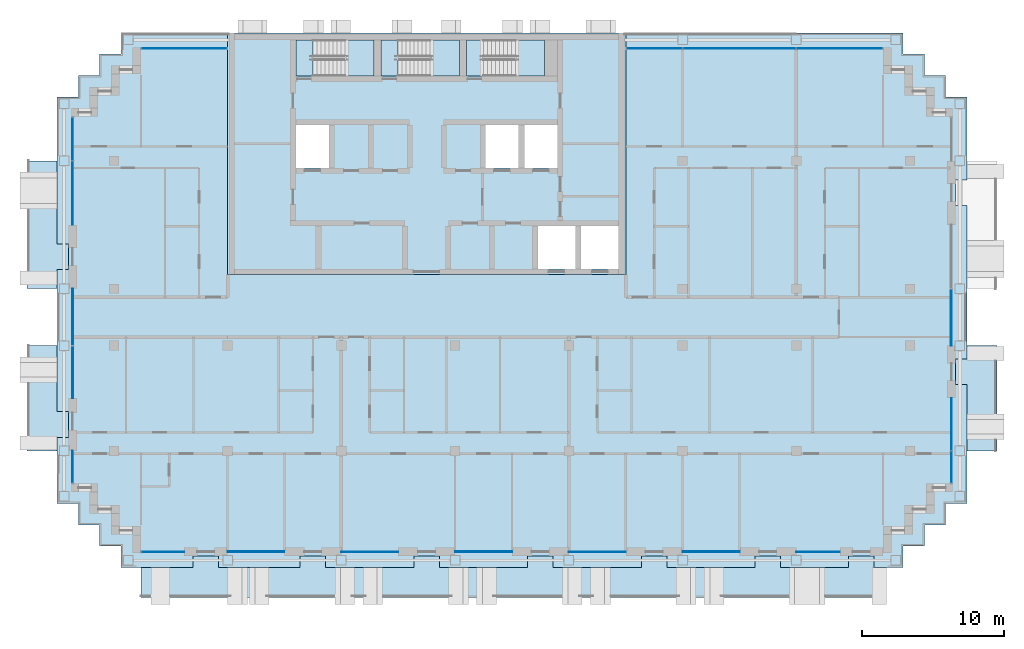
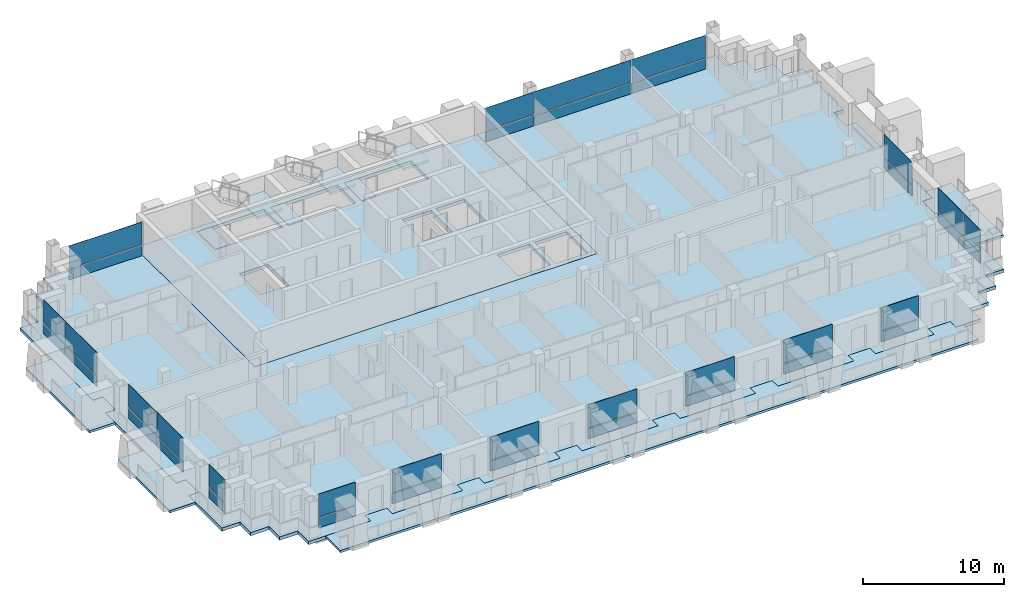
# One storey, part 6 of 16: 38 plates, 12 slabs, 17 elements without a shape of their own.
"""IFC4 building model written with IfcOpenShell, lengths in metres."""

from ifc_helpers import new_model, si_unit, direction, frame, origin, origin_2d, place, context, subcontext, project, spatial, polyline, rectangle, outline, extrude, material, layer, layer_set, type_object, element, aggregate, save


model = new_model("IFC4")

# Units and contexts
model_context = context("Model", 3, precision=1e-05, world=origin(), true_north=direction((0.0, 1.0)))
body_context = subcontext(model_context, "Body", "Model", "MODEL_VIEW")
ifc_project = project(units=[si_unit("LENGTHUNIT", "METRE"), si_unit("AREAUNIT", "SQUARE_METRE"), si_unit("VOLUMEUNIT", "CUBIC_METRE"), si_unit("PLANEANGLEUNIT", "RADIAN"), si_unit("MASSUNIT", "GRAM", prefix="KILO")], contexts=[model_context])

# Site, building, storey
site_placement = place(None, origin())
site = spatial("IfcSite", under=ifc_project, at=site_placement, CompositionType="ELEMENT")
building_placement = place(site_placement, origin())
building = spatial("IfcBuilding", under=site, at=building_placement, Name="Vidyagriha Tower", CompositionType="ELEMENT")
storey_placement = place(building_placement, frame((0.0, 0.0, 171.699951171875)))
storey = spatial("IfcBuildingStorey", under=building, at=storey_placement, Name="L44", CompositionType="ELEMENT", Elevation=171.699951171875)

# Curtain wall, plates
ifc_material_1 = material(Name="Aluminium and glass curtain wall", Category="aluminium")
curtain_wall_type = type_object("IfcCurtainWallType", Name="Dwelling skin unitised curtain wall", PredefinedType="USERDEFINED", material=ifc_material_1)
curtain_wall_1_placement = place(storey_placement, origin())
curtain_wall_1 = element("IfcCurtainWall", 1, at=curtain_wall_1_placement, inside=storey, type_object=curtain_wall_type, Name="CW1 dwelling skin", ObjectType="UNITISED", PredefinedType="USERDEFINED")
ifc_material_2 = material(Name="Glass dark ceramic-fritted spandrel", Category="glass")
ifc_layer_1 = layer(ifc_material_2, 0.0400390625)
ifc_layer_set_1 = layer_set([ifc_layer_1], Name="Glass dark ceramic-fritted spandrel")
plate_type_1 = type_object("IfcPlateType", Name="Ceramic-fritted spandrel panel", PredefinedType="CURTAIN_PANEL", material=ifc_layer_set_1)
plate_1_placement = place(storey_placement, frame((29.032470703125, 18.89990234375, 0.0), z_axis=(0.0, 0.0, 1.0), x_axis=(-1.0, 0.0, 0.0)))
plate_1 = element("IfcPlate", 2, at=plate_1_placement, type_object=plate_type_1, Name="CW1 panel 1.1", PredefinedType="CURTAIN_PANEL", context=body_context, shape_type="SweptSolid", body=[
    extrude(rectangle(XDim=5.9951171875, YDim=0.0400390625, at=origin_2d()), origin(), (0.0, 0.0, 1.0), 0.85009765625),
])
plate_2_placement = place(storey_placement, frame((16.017578125, 18.89990234375, 0.0), z_axis=(0.0, 0.0, 1.0), x_axis=(-1.0, 0.0, 0.0)))
plate_2 = element("IfcPlate", 3, at=plate_2_placement, type_object=plate_type_1, Name="CW1 panel 3.1", PredefinedType="CURTAIN_PANEL", context=body_context, shape_type="SweptSolid", body=[
    extrude(rectangle(XDim=3.89501953125, YDim=0.0400390625, at=origin_2d()), origin(), (0.0, 0.0, 1.0), 0.85009765625),
])

# Curtain wall, plate
curtain_wall_2_placement = place(storey_placement, origin())
curtain_wall_2 = element("IfcCurtainWall", 4, at=curtain_wall_2_placement, inside=storey, type_object=curtain_wall_type, Name="CW1 dwelling skin", ObjectType="UNITISED", PredefinedType="USERDEFINED")
plate_3_placement = place(storey_placement, frame((-17.050048828125, 18.89990234375, 0.0), z_axis=(0.0, 0.0, 1.0), x_axis=(-1.0, 0.0, 0.0)))
plate_3 = element("IfcPlate", 5, at=plate_3_placement, type_object=plate_type_1, Name="CW1 panel 1.1", PredefinedType="CURTAIN_PANEL", context=body_context, shape_type="SweptSolid", body=[
    extrude(rectangle(XDim=5.9599609375, YDim=0.0400390625, at=origin_2d()), origin(), (0.0, 0.0, 1.0), 0.85009765625),
])

# Curtain wall, plates
curtain_wall_3_placement = place(storey_placement, origin())
curtain_wall_3 = element("IfcCurtainWall", 6, at=curtain_wall_3_placement, inside=storey, type_object=curtain_wall_type, Name="CW1 dwelling skin", ObjectType="UNITISED", PredefinedType="USERDEFINED")
plate_4_placement = place(storey_placement, frame((-24.89990234375, 12.532470703125, 0.0), z_axis=(0.0, 0.0, 1.0), x_axis=(0.0, -1.0, 0.0)))
plate_4 = element("IfcPlate", 7, at=plate_4_placement, type_object=plate_type_1, Name="CW1 panel 1.1", PredefinedType="CURTAIN_PANEL", context=body_context, shape_type="SweptSolid", body=[
    extrude(rectangle(XDim=2.9951171875, YDim=0.0400390625, at=origin_2d()), origin(), (0.0, 0.0, 1.0), 0.85009765625),
])
plate_5_placement = place(storey_placement, frame((-24.89990234375, 8.732421875, 0.0), z_axis=(0.0, 0.0, 1.0), x_axis=(0.0, -1.0, 0.0)))
plate_5 = element("IfcPlate", 8, at=plate_5_placement, type_object=plate_type_1, Name="CW1 panel 2.1", PredefinedType="CURTAIN_PANEL", context=body_context, shape_type="SweptSolid", body=[
    extrude(rectangle(XDim=4.465087890625, YDim=0.0400390625, at=origin_2d()), origin(), (0.0, 0.0, 1.0), 0.85009765625),
])

# Curtain wall, plate
curtain_wall_4_placement = place(storey_placement, origin())
curtain_wall_4 = element("IfcCurtainWall", 9, at=curtain_wall_4_placement, inside=storey, type_object=curtain_wall_type, Name="CW1 dwelling skin", ObjectType="UNITISED", PredefinedType="USERDEFINED")
plate_6_placement = place(storey_placement, frame((-24.89990234375, -10.514892578125, 0.0), z_axis=(0.0, 0.0, 1.0), x_axis=(0.0, -1.0, 0.0)))
plate_6 = element("IfcPlate", 10, at=plate_6_placement, type_object=plate_type_1, Name="CW1 panel 1.1", PredefinedType="CURTAIN_PANEL", context=body_context, shape_type="SweptSolid", body=[
    extrude(rectangle(XDim=2.22998046875, YDim=0.0400390625, at=origin_2d()), origin(), (0.0, 0.0, 1.0), 0.85009765625),
])

curtain_wall_5_placement = place(storey_placement, origin())
curtain_wall_5 = element("IfcCurtainWall", 11, at=curtain_wall_5_placement, inside=storey, type_object=curtain_wall_type, Name="CW1 dwelling skin", ObjectType="UNITISED", PredefinedType="USERDEFINED")
plate_7_placement = place(storey_placement, frame((-18.5400390625, -16.5, 0.0)))
plate_7 = element("IfcPlate", 12, at=plate_7_placement, type_object=plate_type_1, Name="CW1 panel 1.1", PredefinedType="CURTAIN_PANEL", context=body_context, shape_type="SweptSolid", body=[
    extrude(rectangle(XDim=2.97998046875, YDim=0.0400390625, at=origin_2d()), origin(), (0.0, 0.0, 1.0), 0.85009765625),
])

curtain_wall_6_placement = place(storey_placement, origin())
curtain_wall_6 = element("IfcCurtainWall", 13, at=curtain_wall_6_placement, inside=storey, type_object=curtain_wall_type, Name="CW1 dwelling skin", ObjectType="UNITISED", PredefinedType="USERDEFINED")
plate_8_placement = place(storey_placement, frame((-4.0, -16.5, 0.0)))
plate_8 = element("IfcPlate", 14, at=plate_8_placement, type_object=plate_type_1, Name="CW1 panel 1.1", PredefinedType="CURTAIN_PANEL", context=body_context, shape_type="SweptSolid", body=[
    extrude(rectangle(XDim=4.0, YDim=0.0400390625, at=origin_2d()), origin(), (0.0, 0.0, 1.0), 0.85009765625),
])

curtain_wall_7_placement = place(storey_placement, origin())
curtain_wall_7 = element("IfcCurtainWall", 15, at=curtain_wall_7_placement, inside=storey, type_object=curtain_wall_type, Name="CW1 dwelling skin", ObjectType="UNITISED", PredefinedType="USERDEFINED")
plate_9_placement = place(storey_placement, frame((12.0, -16.5, 0.0)))
plate_9 = element("IfcPlate", 16, at=plate_9_placement, type_object=plate_type_1, Name="CW1 panel 1.1", PredefinedType="CURTAIN_PANEL", context=body_context, shape_type="SweptSolid", body=[
    extrude(rectangle(XDim=4.0, YDim=0.0400390625, at=origin_2d()), origin(), (0.0, 0.0, 1.0), 0.85009765625),
])

curtain_wall_8_placement = place(storey_placement, origin())
curtain_wall_8 = element("IfcCurtainWall", 17, at=curtain_wall_8_placement, inside=storey, type_object=curtain_wall_type, Name="CW1 dwelling skin", ObjectType="UNITISED", PredefinedType="USERDEFINED")
plate_10_placement = place(storey_placement, frame((27.52490234375, -16.5, 0.0)))
plate_10 = element("IfcPlate", 18, at=plate_10_placement, type_object=plate_type_1, Name="CW1 panel 1.1", PredefinedType="CURTAIN_PANEL", context=body_context, shape_type="SweptSolid", body=[
    extrude(rectangle(XDim=3.050048828125, YDim=0.0400390625, at=origin_2d()), origin(), (0.0, 0.0, 1.0), 0.85009765625),
])

# Curtain wall, plates
curtain_wall_9_placement = place(storey_placement, origin())
curtain_wall_9 = element("IfcCurtainWall", 19, at=curtain_wall_9_placement, inside=storey, type_object=curtain_wall_type, Name="CW1 dwelling skin", ObjectType="UNITISED", PredefinedType="USERDEFINED")
plate_11_placement = place(storey_placement, frame((36.89990234375, -10.532470703125, 0.0), z_axis=(0.0, 0.0, 1.0), x_axis=(0.0, 1.0, 0.0)))
plate_11 = element("IfcPlate", 20, at=plate_11_placement, type_object=plate_type_1, Name="CW1 panel 1.1", PredefinedType="CURTAIN_PANEL", context=body_context, shape_type="SweptSolid", body=[
    extrude(rectangle(XDim=2.195068359375, YDim=0.0400390625, at=origin_2d()), origin(), (0.0, 0.0, 1.0), 0.85009765625),
])
plate_12_placement = place(storey_placement, frame((36.89990234375, -7.532470703125, 0.0), z_axis=(0.0, 0.0, 1.0), x_axis=(0.0, 1.0, 0.0)))
plate_12 = element("IfcPlate", 21, at=plate_12_placement, type_object=plate_type_1, Name="CW1 panel 2.1", PredefinedType="CURTAIN_PANEL", context=body_context, shape_type="SweptSolid", body=[
    extrude(rectangle(XDim=3.6650390625, YDim=0.0400390625, at=origin_2d()), origin(), (0.0, 0.0, 1.0), 0.85009765625),
])

# Slab
ifc_material_3 = material(Name="Concrete C60/75", Category="concrete")
ifc_layer_2 = layer(ifc_material_3, 0.280029296875)
ifc_layer_set_2 = layer_set([ifc_layer_2], Name="Concrete C60/75")
slab_type_1 = type_object("IfcSlabType", Name="Core floor slab 280 mm", PredefinedType="FLOOR", material=ifc_layer_set_2)
slab_1_placement = place(storey_placement, frame((0.0, 0.0, -0.280029296875)))
element("IfcSlab", 22, at=slab_1_placement, inside=storey, type_object=slab_type_1, Name="L44 core floor 1", PredefinedType="FLOOR", context=body_context, shape_type="SweptSolid", body=[
    extrude(outline(polyline([(-14.0, 3.0), (-14.0, 20.0), (14.0, 20.0), (14.0, 3.0), (-14.0, 3.0)]), holes=[polyline([(13.5, 6.39990234375), (10.855712890625, 6.39990234375), (10.855712890625, 3.39990234375), (13.5, 3.39990234375), (13.5, 6.39990234375)]), polyline([(10.45556640625, 6.39990234375), (7.81103515625, 6.39990234375), (7.81103515625, 3.39990234375), (10.45556640625, 3.39990234375), (10.45556640625, 6.39990234375)]), polyline([(9.199951171875, 13.5), (6.86669921875, 13.5), (6.86669921875, 10.5), (9.199951171875, 10.5), (9.199951171875, 13.5)]), polyline([(2.800048828125, 19.5), (2.800048828125, 16.949951171875), (4.0, 16.949951171875), (8.300048828125, 16.949951171875), (8.300048828125, 19.5), (4.0, 19.5), (2.800048828125, 19.5)]), polyline([(4.13330078125, 13.5), (4.13330078125, 10.5), (6.466796875, 10.5), (6.466796875, 13.5), (4.13330078125, 13.5)]), polyline([(-2.0, 19.5), (-3.199951171875, 19.5), (-3.199951171875, 16.949951171875), (-2.0, 16.949951171875), (2.300048828125, 16.949951171875), (2.300048828125, 19.5), (-2.0, 19.5)]), polyline([(-9.199951171875, 19.5), (-9.199951171875, 16.949951171875), (-8.0, 16.949951171875), (-3.699951171875, 16.949951171875), (-3.699951171875, 19.5), (-8.0, 19.5), (-9.199951171875, 19.5)]), polyline([(-9.199951171875, 13.5), (-9.199951171875, 10.5), (-6.86669921875, 10.5), (-6.86669921875, 13.5), (-9.199951171875, 13.5)])]), origin(), (0.0, 0.0, 1.0), 0.280029296875),
])

# Plate
ifc_material_4 = material(Name="Glass dark ceramic-fritted", Category="glass")
ifc_layer_3 = layer(ifc_material_4, 0.028076171875)
ifc_layer_set_3 = layer_set([ifc_layer_3], Name="Glass dark ceramic-fritted")
plate_type_2 = type_object("IfcPlateType", Name="Dark ceramic-fritted vision glass panel", PredefinedType="CURTAIN_PANEL", material=ifc_layer_set_3)
plate_13_placement = place(storey_placement, frame((29.032470703125, 18.89990234375, 0.9501953125), z_axis=(0.0, 0.0, 1.0), x_axis=(-1.0, 0.0, 0.0)))
plate_13 = element("IfcPlate", 23, at=plate_13_placement, type_object=plate_type_2, Name="CW1 panel 1.2", PredefinedType="CURTAIN_PANEL", context=body_context, shape_type="SweptSolid", body=[
    extrude(rectangle(XDim=5.9951171875, YDim=0.028076171875, at=origin_2d()), origin(), (0.0, 0.0, 1.0), 1.969970703125),
])

plate_14_placement = place(storey_placement, frame((22.0, 18.89990234375, 0.9501953125), z_axis=(0.0, 0.0, 1.0), x_axis=(-1.0, 0.0, 0.0)))
plate_14 = element("IfcPlate", 24, at=plate_14_placement, type_object=plate_type_2, Name="CW1 panel 2.2", PredefinedType="CURTAIN_PANEL", context=body_context, shape_type="SweptSolid", body=[
    extrude(rectangle(XDim=7.929931640625, YDim=0.028076171875, at=origin_2d()), origin(), (0.0, 0.0, 1.0), 1.969970703125),
])

plate_15_placement = place(storey_placement, frame((16.017578125, 18.89990234375, 0.9501953125), z_axis=(0.0, 0.0, 1.0), x_axis=(-1.0, 0.0, 0.0)))
plate_15 = element("IfcPlate", 25, at=plate_15_placement, type_object=plate_type_2, Name="CW1 panel 3.2", PredefinedType="CURTAIN_PANEL", context=body_context, shape_type="SweptSolid", body=[
    extrude(rectangle(XDim=3.89501953125, YDim=0.028076171875, at=origin_2d()), origin(), (0.0, 0.0, 1.0), 1.969970703125),
])

plate_16_placement = place(storey_placement, frame((-17.050048828125, 18.89990234375, 0.9501953125), z_axis=(0.0, 0.0, 1.0), x_axis=(-1.0, 0.0, 0.0)))
plate_16 = element("IfcPlate", 26, at=plate_16_placement, type_object=plate_type_2, Name="CW1 panel 1.2", PredefinedType="CURTAIN_PANEL", context=body_context, shape_type="SweptSolid", body=[
    extrude(rectangle(XDim=5.9599609375, YDim=0.028076171875, at=origin_2d()), origin(), (0.0, 0.0, 1.0), 1.969970703125),
])

aggregate(curtain_wall_2, [plate_3, plate_16])

plate_17_placement = place(storey_placement, frame((-24.89990234375, 12.532470703125, 0.9501953125), z_axis=(0.0, 0.0, 1.0), x_axis=(0.0, -1.0, 0.0)))
plate_17 = element("IfcPlate", 27, at=plate_17_placement, type_object=plate_type_2, Name="CW1 panel 1.2", PredefinedType="CURTAIN_PANEL", context=body_context, shape_type="SweptSolid", body=[
    extrude(rectangle(XDim=2.9951171875, YDim=0.028076171875, at=origin_2d()), origin(), (0.0, 0.0, 1.0), 1.969970703125),
])

plate_18_placement = place(storey_placement, frame((-24.89990234375, 8.732421875, 0.9501953125), z_axis=(0.0, 0.0, 1.0), x_axis=(0.0, -1.0, 0.0)))
plate_18 = element("IfcPlate", 28, at=plate_18_placement, type_object=plate_type_2, Name="CW1 panel 2.2", PredefinedType="CURTAIN_PANEL", context=body_context, shape_type="SweptSolid", body=[
    extrude(rectangle(XDim=4.465087890625, YDim=0.028076171875, at=origin_2d()), origin(), (0.0, 0.0, 1.0), 1.969970703125),
])

aggregate(curtain_wall_3, [plate_4, plate_17, plate_5, plate_18])

# Curtain wall, plates
curtain_wall_10_placement = place(storey_placement, origin())
curtain_wall_10 = element("IfcCurtainWall", 29, at=curtain_wall_10_placement, inside=storey, type_object=curtain_wall_type, Name="CW1 dwelling skin", ObjectType="UNITISED", PredefinedType="USERDEFINED")
plate_19_placement = place(storey_placement, frame((-24.89990234375, 0.017578125, 0.9501953125), z_axis=(0.0, 0.0, 1.0), x_axis=(0.0, -1.0, 0.0)))
plate_19 = element("IfcPlate", 30, at=plate_19_placement, type_object=plate_type_2, Name="CW1 panel 1.2", PredefinedType="CURTAIN_PANEL", context=body_context, shape_type="SweptSolid", body=[
    extrude(rectangle(XDim=3.965087890625, YDim=0.028076171875, at=origin_2d()), origin(), (0.0, 0.0, 1.0), 1.969970703125),
])
plate_20_placement = place(storey_placement, frame((-24.89990234375, -3.867431640625, 0.9501953125), z_axis=(0.0, 0.0, 1.0), x_axis=(0.0, -1.0, 0.0)))
plate_20 = element("IfcPlate", 31, at=plate_20_placement, type_object=plate_type_2, Name="CW1 panel 2.2", PredefinedType="CURTAIN_PANEL", context=body_context, shape_type="SweptSolid", body=[
    extrude(rectangle(XDim=3.6650390625, YDim=0.028076171875, at=origin_2d()), origin(), (0.0, 0.0, 1.0), 1.969970703125),
])

# Plate
plate_21_placement = place(storey_placement, frame((-24.89990234375, -10.514892578125, 0.9501953125), z_axis=(0.0, 0.0, 1.0), x_axis=(0.0, -1.0, 0.0)))
plate_21 = element("IfcPlate", 32, at=plate_21_placement, type_object=plate_type_2, Name="CW1 panel 1.2", PredefinedType="CURTAIN_PANEL", context=body_context, shape_type="SweptSolid", body=[
    extrude(rectangle(XDim=2.22998046875, YDim=0.028076171875, at=origin_2d()), origin(), (0.0, 0.0, 1.0), 1.969970703125),
])

aggregate(curtain_wall_4, [plate_6, plate_21])

plate_22_placement = place(storey_placement, frame((-18.5400390625, -16.5, 0.9501953125)))
plate_22 = element("IfcPlate", 33, at=plate_22_placement, type_object=plate_type_2, Name="CW1 panel 1.2", PredefinedType="CURTAIN_PANEL", context=body_context, shape_type="SweptSolid", body=[
    extrude(rectangle(XDim=2.97998046875, YDim=0.028076171875, at=origin_2d()), origin(), (0.0, 0.0, 1.0), 1.969970703125),
])

aggregate(curtain_wall_5, [plate_7, plate_22])

# Curtain wall, plate
curtain_wall_11_placement = place(storey_placement, origin())
curtain_wall_11 = element("IfcCurtainWall", 34, at=curtain_wall_11_placement, inside=storey, type_object=curtain_wall_type, Name="CW1 dwelling skin", ObjectType="UNITISED", PredefinedType="USERDEFINED")
plate_23_placement = place(storey_placement, frame((-12.0, -16.5, 0.9501953125)))
plate_23 = element("IfcPlate", 35, at=plate_23_placement, type_object=plate_type_2, Name="CW1 panel 1.2", PredefinedType="CURTAIN_PANEL", context=body_context, shape_type="SweptSolid", body=[
    extrude(rectangle(XDim=4.0, YDim=0.028076171875, at=origin_2d()), origin(), (0.0, 0.0, 1.0), 1.969970703125),
])

# Plate
plate_24_placement = place(storey_placement, frame((-4.0, -16.5, 0.9501953125)))
plate_24 = element("IfcPlate", 36, at=plate_24_placement, type_object=plate_type_2, Name="CW1 panel 1.2", PredefinedType="CURTAIN_PANEL", context=body_context, shape_type="SweptSolid", body=[
    extrude(rectangle(XDim=4.0, YDim=0.028076171875, at=origin_2d()), origin(), (0.0, 0.0, 1.0), 1.969970703125),
])

aggregate(curtain_wall_6, [plate_8, plate_24])

# Curtain wall, plate
curtain_wall_12_placement = place(storey_placement, origin())
curtain_wall_12 = element("IfcCurtainWall", 37, at=curtain_wall_12_placement, inside=storey, type_object=curtain_wall_type, Name="CW1 dwelling skin", ObjectType="UNITISED", PredefinedType="USERDEFINED")
plate_25_placement = place(storey_placement, frame((4.0, -16.5, 0.9501953125)))
plate_25 = element("IfcPlate", 38, at=plate_25_placement, type_object=plate_type_2, Name="CW1 panel 1.2", PredefinedType="CURTAIN_PANEL", context=body_context, shape_type="SweptSolid", body=[
    extrude(rectangle(XDim=4.0, YDim=0.028076171875, at=origin_2d()), origin(), (0.0, 0.0, 1.0), 1.969970703125),
])

# Plate
plate_26_placement = place(storey_placement, frame((12.0, -16.5, 0.9501953125)))
plate_26 = element("IfcPlate", 39, at=plate_26_placement, type_object=plate_type_2, Name="CW1 panel 1.2", PredefinedType="CURTAIN_PANEL", context=body_context, shape_type="SweptSolid", body=[
    extrude(rectangle(XDim=4.0, YDim=0.028076171875, at=origin_2d()), origin(), (0.0, 0.0, 1.0), 1.969970703125),
])

aggregate(curtain_wall_7, [plate_9, plate_26])

# Curtain wall, plate
curtain_wall_13_placement = place(storey_placement, origin())
curtain_wall_13 = element("IfcCurtainWall", 40, at=curtain_wall_13_placement, inside=storey, type_object=curtain_wall_type, Name="CW1 dwelling skin", ObjectType="UNITISED", PredefinedType="USERDEFINED")
plate_27_placement = place(storey_placement, frame((20.0, -16.5, 0.9501953125)))
plate_27 = element("IfcPlate", 41, at=plate_27_placement, type_object=plate_type_2, Name="CW1 panel 1.2", PredefinedType="CURTAIN_PANEL", context=body_context, shape_type="SweptSolid", body=[
    extrude(rectangle(XDim=4.0, YDim=0.028076171875, at=origin_2d()), origin(), (0.0, 0.0, 1.0), 1.969970703125),
])

# Plate
plate_28_placement = place(storey_placement, frame((27.52490234375, -16.5, 0.9501953125)))
plate_28 = element("IfcPlate", 42, at=plate_28_placement, type_object=plate_type_2, Name="CW1 panel 1.2", PredefinedType="CURTAIN_PANEL", context=body_context, shape_type="SweptSolid", body=[
    extrude(rectangle(XDim=3.050048828125, YDim=0.028076171875, at=origin_2d()), origin(), (0.0, 0.0, 1.0), 1.969970703125),
])

aggregate(curtain_wall_8, [plate_10, plate_28])

plate_29_placement = place(storey_placement, frame((36.89990234375, -10.532470703125, 0.9501953125), z_axis=(0.0, 0.0, 1.0), x_axis=(0.0, 1.0, 0.0)))
plate_29 = element("IfcPlate", 43, at=plate_29_placement, type_object=plate_type_2, Name="CW1 panel 1.2", PredefinedType="CURTAIN_PANEL", context=body_context, shape_type="SweptSolid", body=[
    extrude(rectangle(XDim=2.195068359375, YDim=0.028076171875, at=origin_2d()), origin(), (0.0, 0.0, 1.0), 1.969970703125),
])

plate_30_placement = place(storey_placement, frame((36.89990234375, -7.532470703125, 0.9501953125), z_axis=(0.0, 0.0, 1.0), x_axis=(0.0, 1.0, 0.0)))
plate_30 = element("IfcPlate", 44, at=plate_30_placement, type_object=plate_type_2, Name="CW1 panel 2.2", PredefinedType="CURTAIN_PANEL", context=body_context, shape_type="SweptSolid", body=[
    extrude(rectangle(XDim=3.6650390625, YDim=0.028076171875, at=origin_2d()), origin(), (0.0, 0.0, 1.0), 1.969970703125),
])

aggregate(curtain_wall_9, [plate_11, plate_29, plate_12, plate_30])

# Curtain wall, plate
curtain_wall_14_placement = place(storey_placement, origin())
curtain_wall_14 = element("IfcCurtainWall", 45, at=curtain_wall_14_placement, inside=storey, type_object=curtain_wall_type, Name="CW1 dwelling skin", ObjectType="UNITISED", PredefinedType="USERDEFINED")
plate_31_placement = place(storey_placement, frame((36.89990234375, -0.017578125, 0.9501953125), z_axis=(0.0, 0.0, 1.0), x_axis=(0.0, 1.0, 0.0)))
plate_31 = element("IfcPlate", 46, at=plate_31_placement, type_object=plate_type_2, Name="CW1 panel 1.2", PredefinedType="CURTAIN_PANEL", context=body_context, shape_type="SweptSolid", body=[
    extrude(rectangle(XDim=3.965087890625, YDim=0.028076171875, at=origin_2d()), origin(), (0.0, 0.0, 1.0), 1.969970703125),
])

# Slabs
ifc_material_5 = material(Name="Concrete C40/50", Category="concrete")
ifc_layer_4 = layer(ifc_material_5, 0.280029296875)
ifc_layer_set_4 = layer_set([ifc_layer_4], Name="Concrete C40/50")
slab_type_2 = type_object("IfcSlabType", Name="Exit stair floor landing 280 mm", PredefinedType="LANDING", material=ifc_layer_set_4)
slab_2_placement = place(storey_placement, frame((0.0, 0.0, -0.280029296875)))
element("IfcSlab", 47, at=slab_2_placement, inside=storey, type_object=slab_type_2, Name="ST1 floor landing L44", PredefinedType="LANDING", context=body_context, shape_type="SweptSolid", body=[
    extrude(outline(polyline([(-9.199951171875, 16.949951171875), (-8.0, 16.949951171875), (-8.0, 19.5), (-9.199951171875, 19.5), (-9.199951171875, 16.949951171875)])), origin(), (0.0, 0.0, 1.0), 0.280029296875),
])
slab_3_placement = place(storey_placement, frame((0.0, 0.0, -0.280029296875)))
element("IfcSlab", 48, at=slab_3_placement, inside=storey, type_object=slab_type_2, Name="ST2 floor landing L44", PredefinedType="LANDING", context=body_context, shape_type="SweptSolid", body=[
    extrude(outline(polyline([(-3.199951171875, 16.949951171875), (-2.0, 16.949951171875), (-2.0, 19.5), (-3.199951171875, 19.5), (-3.199951171875, 16.949951171875)])), origin(), (0.0, 0.0, 1.0), 0.280029296875),
])
slab_4_placement = place(storey_placement, frame((0.0, 0.0, -0.280029296875)))
element("IfcSlab", 49, at=slab_4_placement, inside=storey, type_object=slab_type_2, Name="ST3 floor landing L44", PredefinedType="LANDING", context=body_context, shape_type="SweptSolid", body=[
    extrude(outline(polyline([(2.800048828125, 16.949951171875), (4.0, 16.949951171875), (4.0, 19.5), (2.800048828125, 19.5), (2.800048828125, 16.949951171875)])), origin(), (0.0, 0.0, 1.0), 0.280029296875),
])

# Stair, slab
ifc_material_6 = material(Name="Concrete C40/50", Category="concrete")
stair_type = type_object("IfcStairType", Name="Exit stair, half-turn, precast flights", PredefinedType="HALF_TURN_STAIR", material=ifc_material_6)
stair_1_placement = place(storey_placement, origin())
stair_1 = element("IfcStair", 50, at=stair_1_placement, inside=storey, type_object=stair_type, Name="L44 Exit Stair ST1", PredefinedType="HALF_TURN_STAIR")
ifc_material_7 = material(Name="Concrete C40/50", Category="concrete")
ifc_layer_5 = layer(ifc_material_7, 0.199951171875)
ifc_layer_set_5 = layer_set([ifc_layer_5], Name="Concrete C40/50")
slab_type_3 = type_object("IfcSlabType", Name="Exit stair landing 200 mm", PredefinedType="LANDING", material=ifc_layer_set_5)
slab_5_placement = place(storey_placement, frame((0.0, 0.0, 1.400146484375)))
slab_5 = element("IfcSlab", 51, at=slab_5_placement, type_object=slab_type_3, Name="ST1 landing 1", PredefinedType="LANDING", context=body_context, shape_type="SweptSolid", body=[
    extrude(outline(polyline([(-5.760009765625, 16.949951171875), (-3.699951171875, 16.949951171875), (-3.699951171875, 19.5), (-5.760009765625, 19.5), (-5.760009765625, 16.949951171875)])), origin(), (0.0, 0.0, 1.0), 0.199951171875),
])
aggregate(stair_1, [slab_5])

stair_2_placement = place(storey_placement, origin())
stair_2 = element("IfcStair", 52, at=stair_2_placement, inside=storey, type_object=stair_type, Name="L44 Exit Stair ST2", PredefinedType="HALF_TURN_STAIR")
slab_6_placement = place(storey_placement, frame((0.0, 0.0, 1.400146484375)))
slab_6 = element("IfcSlab", 53, at=slab_6_placement, type_object=slab_type_3, Name="ST2 landing 1", PredefinedType="LANDING", context=body_context, shape_type="SweptSolid", body=[
    extrude(outline(polyline([(0.239990234375, 16.949951171875), (2.300048828125, 16.949951171875), (2.300048828125, 19.5), (0.239990234375, 19.5), (0.239990234375, 16.949951171875)])), origin(), (0.0, 0.0, 1.0), 0.199951171875),
])
aggregate(stair_2, [slab_6])

stair_3_placement = place(storey_placement, origin())
stair_3 = element("IfcStair", 54, at=stair_3_placement, inside=storey, type_object=stair_type, Name="L44 Exit Stair ST3", PredefinedType="HALF_TURN_STAIR")
slab_7_placement = place(storey_placement, frame((0.0, 0.0, 1.400146484375)))
slab_7 = element("IfcSlab", 55, at=slab_7_placement, type_object=slab_type_3, Name="ST3 landing 1", PredefinedType="LANDING", context=body_context, shape_type="SweptSolid", body=[
    extrude(outline(polyline([(6.239990234375, 16.949951171875), (8.300048828125, 16.949951171875), (8.300048828125, 19.5), (6.239990234375, 19.5), (6.239990234375, 16.949951171875)])), origin(), (0.0, 0.0, 1.0), 0.199951171875),
])
aggregate(stair_3, [slab_7])

# Plate
ifc_material_8 = material(Name="Aluminium black anodised", Category="aluminium")
ifc_layer_6 = layer(ifc_material_8, 0.06005859375)
ifc_layer_set_6 = layer_set([ifc_layer_6], Name="Aluminium black anodised")
plate_type_3 = type_object("IfcPlateType", Name="Operable black-metal vent panel", PredefinedType="CURTAIN_PANEL", material=ifc_layer_set_6)
plate_32_placement = place(storey_placement, frame((22.0, 18.89990234375, 0.0), z_axis=(0.0, 0.0, 1.0), x_axis=(-1.0, 0.0, 0.0)))
plate_32 = element("IfcPlate", 56, at=plate_32_placement, type_object=plate_type_3, Name="CW1 panel 2.1", PredefinedType="CURTAIN_PANEL", context=body_context, shape_type="SweptSolid", body=[
    extrude(rectangle(XDim=7.929931640625, YDim=0.06005859375, at=origin_2d()), origin(), (0.0, 0.0, 1.0), 0.85009765625),
])

aggregate(curtain_wall_1, [plate_1, plate_13, plate_32, plate_14, plate_2, plate_15])

plate_33_placement = place(storey_placement, frame((-24.89990234375, 0.017578125, 0.0), z_axis=(0.0, 0.0, 1.0), x_axis=(0.0, -1.0, 0.0)))
plate_33 = element("IfcPlate", 57, at=plate_33_placement, type_object=plate_type_3, Name="CW1 panel 1.1", PredefinedType="CURTAIN_PANEL", context=body_context, shape_type="SweptSolid", body=[
    extrude(rectangle(XDim=3.965087890625, YDim=0.06005859375, at=origin_2d()), origin(), (0.0, 0.0, 1.0), 0.85009765625),
])

plate_34_placement = place(storey_placement, frame((-24.89990234375, -3.867431640625, 0.0), z_axis=(0.0, 0.0, 1.0), x_axis=(0.0, -1.0, 0.0)))
plate_34 = element("IfcPlate", 58, at=plate_34_placement, type_object=plate_type_3, Name="CW1 panel 2.1", PredefinedType="CURTAIN_PANEL", context=body_context, shape_type="SweptSolid", body=[
    extrude(rectangle(XDim=3.6650390625, YDim=0.06005859375, at=origin_2d()), origin(), (0.0, 0.0, 1.0), 0.85009765625),
])

aggregate(curtain_wall_10, [plate_33, plate_19, plate_34, plate_20])

plate_35_placement = place(storey_placement, frame((-12.0, -16.5, 0.0)))
plate_35 = element("IfcPlate", 59, at=plate_35_placement, type_object=plate_type_3, Name="CW1 panel 1.1", PredefinedType="CURTAIN_PANEL", context=body_context, shape_type="SweptSolid", body=[
    extrude(rectangle(XDim=4.0, YDim=0.06005859375, at=origin_2d()), origin(), (0.0, 0.0, 1.0), 0.85009765625),
])

aggregate(curtain_wall_11, [plate_35, plate_23])

plate_36_placement = place(storey_placement, frame((4.0, -16.5, 0.0)))
plate_36 = element("IfcPlate", 60, at=plate_36_placement, type_object=plate_type_3, Name="CW1 panel 1.1", PredefinedType="CURTAIN_PANEL", context=body_context, shape_type="SweptSolid", body=[
    extrude(rectangle(XDim=4.0, YDim=0.06005859375, at=origin_2d()), origin(), (0.0, 0.0, 1.0), 0.85009765625),
])

aggregate(curtain_wall_12, [plate_36, plate_25])

plate_37_placement = place(storey_placement, frame((20.0, -16.5, 0.0)))
plate_37 = element("IfcPlate", 61, at=plate_37_placement, type_object=plate_type_3, Name="CW1 panel 1.1", PredefinedType="CURTAIN_PANEL", context=body_context, shape_type="SweptSolid", body=[
    extrude(rectangle(XDim=4.0, YDim=0.06005859375, at=origin_2d()), origin(), (0.0, 0.0, 1.0), 0.85009765625),
])

aggregate(curtain_wall_13, [plate_37, plate_27])

plate_38_placement = place(storey_placement, frame((36.89990234375, -0.017578125, 0.0), z_axis=(0.0, 0.0, 1.0), x_axis=(0.0, 1.0, 0.0)))
plate_38 = element("IfcPlate", 62, at=plate_38_placement, type_object=plate_type_3, Name="CW1 panel 1.1", PredefinedType="CURTAIN_PANEL", context=body_context, shape_type="SweptSolid", body=[
    extrude(rectangle(XDim=3.965087890625, YDim=0.06005859375, at=origin_2d()), origin(), (0.0, 0.0, 1.0), 0.85009765625),
])

aggregate(curtain_wall_14, [plate_38, plate_31])

# Slabs
ifc_material_9 = material(Name="Concrete C50/60", Category="concrete")
ifc_layer_7 = layer(ifc_material_9, 0.280029296875)
ifc_layer_set_7 = layer_set([ifc_layer_7], Name="Concrete C50/60")
slab_type_4 = type_object("IfcSlabType", Name="Post-tensioned flat plate 280", PredefinedType="FLOOR", material=ifc_layer_set_7)
slab_8_placement = place(storey_placement, frame((0.0, 0.0, -0.280029296875)))
element("IfcSlab", 63, at=slab_8_placement, inside=storey, type_object=slab_type_4, Name="st-slab-L44-1", PredefinedType="FLOOR", context=body_context, shape_type="SweptSolid", body=[
    extrude(outline(polyline([(36.5, -14.60009765625), (35.0, -14.60009765625), (35.0, -16.10009765625), (33.5, -16.10009765625), (33.5, -17.60009765625), (31.47509765625, -17.60009765625), (31.47509765625, -16.800048828125), (29.675048828125, -16.800048828125), (29.675048828125, -17.60009765625), (24.89990234375, -17.60009765625), (24.89990234375, -16.800048828125), (23.10009765625, -16.800048828125), (23.10009765625, -17.60009765625), (16.89990234375, -17.60009765625), (16.89990234375, -16.800048828125), (15.10009765625, -16.800048828125), (15.10009765625, -17.60009765625), (8.89990234375, -17.60009765625), (8.89990234375, -16.800048828125), (7.10009765625, -16.800048828125), (7.10009765625, -17.60009765625), (0.89990234375, -17.60009765625), (0.89990234375, -16.800048828125), (-0.89990234375, -16.800048828125), (-0.89990234375, -17.60009765625), (-7.10009765625, -17.60009765625), (-7.10009765625, -16.800048828125), (-8.89990234375, -16.800048828125), (-8.89990234375, -17.60009765625), (-14.625, -17.60009765625), (-14.625, -16.800048828125), (-16.425048828125, -16.800048828125), (-16.425048828125, -17.60009765625), (-21.5, -17.60009765625), (-21.5, -16.10009765625), (-23.0, -16.10009765625), (-23.0, -14.60009765625), (-24.5, -14.60009765625), (-24.5, -13.10009765625), (-26.0, -13.10009765625), (-26.0, -8.449951171875), (-25.199951171875, -8.449951171875), (-25.199951171875, -6.64990234375), (-26.0, -6.64990234375), (-26.0, 3.35009765625), (-25.199951171875, 3.35009765625), (-25.199951171875, 5.14990234375), (-26.0, 5.14990234375), (-26.0, 15.5), (-24.5, 15.5), (-24.5, 17.0), (-23.0, 17.0), (-23.0, 18.5), (-21.5, 18.5), (-21.5, 20.0), (-14.0, 20.0), (-14.0, 3.0), (14.0, 3.0), (14.0, 20.0), (33.5, 20.0), (33.5, 18.5), (35.0, 18.5), (35.0, 17.0), (36.5, 17.0), (36.5, 15.5), (38.0, 15.5), (38.0, 9.64990234375), (37.199951171875, 9.64990234375), (37.199951171875, 7.85009765625), (38.0, 7.85009765625), (38.0, -2.949951171875), (37.199951171875, -2.949951171875), (37.199951171875, -4.75), (38.0, -4.75), (38.0, -13.10009765625), (36.5, -13.10009765625), (36.5, -14.60009765625)])), origin(), (0.0, 0.0, 1.0), 0.280029296875),
])
ifc_material_10 = material(Name="Precast concrete C40/50", Category="concrete")
ifc_layer_8 = layer(ifc_material_10, 0.199951171875)
ifc_layer_set_8 = layer_set([ifc_layer_8], Name="Precast concrete C40/50")
slab_type_5 = type_object("IfcSlabType", Name="Precast balcony slab 200", PredefinedType="USERDEFINED", material=ifc_layer_set_8)
slab_9_placement = place(storey_placement, frame((0.0, 0.0, -0.199951171875)))
element("IfcSlab", 64, at=slab_9_placement, inside=storey, type_object=slab_type_5, Name="Balcony slab L44 R16.1-1", ObjectType="BALCONY", PredefinedType="USERDEFINED", context=body_context, shape_type="SweptSolid", body=[
    extrude(outline(polyline([(-25.199951171875, 3.35009765625), (-25.199951171875, 5.14990234375), (-26.0, 5.14990234375), (-26.0, 11.0), (-28.10009765625, 11.0), (-28.10009765625, 2.0), (-26.0, 2.0), (-26.0, 3.35009765625), (-25.199951171875, 3.35009765625)])), origin(), (0.0, 0.0, 1.0), 0.199951171875),
])
slab_10_placement = place(storey_placement, frame((0.0, 0.0, -0.199951171875)))
element("IfcSlab", 65, at=slab_10_placement, inside=storey, type_object=slab_type_5, Name="Balcony slab L44 R16.2-2", ObjectType="BALCONY", PredefinedType="USERDEFINED", context=body_context, shape_type="SweptSolid", body=[
    extrude(outline(polyline([(-25.199951171875, -8.449951171875), (-25.199951171875, -6.64990234375), (-26.0, -6.64990234375), (-26.0, -2.0), (-28.10009765625, -2.0), (-28.10009765625, -9.39990234375), (-26.0, -9.39990234375), (-26.0, -8.449951171875), (-25.199951171875, -8.449951171875)])), origin(), (0.0, 0.0, 1.0), 0.199951171875),
])
slab_11_placement = place(storey_placement, frame((0.0, 0.0, -0.199951171875)))
element("IfcSlab", 66, at=slab_11_placement, inside=storey, type_object=slab_type_5, Name="Balcony slab L44 R23.1-7", ObjectType="BALCONY", PredefinedType="USERDEFINED", context=body_context, shape_type="SweptSolid", body=[
    extrude(outline(polyline([(-14.625, -16.800048828125), (-16.425048828125, -16.800048828125), (-16.425048828125, -17.60009765625), (-20.10009765625, -17.60009765625), (-20.10009765625, -19.699951171875), (32.10009765625, -19.699951171875), (32.10009765625, -17.60009765625), (31.47509765625, -17.60009765625), (31.47509765625, -16.800048828125), (29.675048828125, -16.800048828125), (29.675048828125, -17.60009765625), (24.89990234375, -17.60009765625), (24.89990234375, -16.800048828125), (23.10009765625, -16.800048828125), (23.10009765625, -17.60009765625), (16.89990234375, -17.60009765625), (16.89990234375, -16.800048828125), (15.10009765625, -16.800048828125), (15.10009765625, -17.60009765625), (8.89990234375, -17.60009765625), (8.89990234375, -16.800048828125), (7.10009765625, -16.800048828125), (7.10009765625, -17.60009765625), (0.89990234375, -17.60009765625), (0.89990234375, -16.800048828125), (-0.89990234375, -16.800048828125), (-0.89990234375, -17.60009765625), (-7.10009765625, -17.60009765625), (-7.10009765625, -16.800048828125), (-8.89990234375, -16.800048828125), (-8.89990234375, -17.60009765625), (-14.625, -17.60009765625), (-14.625, -16.800048828125)])), origin(), (0.0, 0.0, 1.0), 0.199951171875),
])
slab_12_placement = place(storey_placement, frame((0.0, 0.0, -0.199951171875)))
element("IfcSlab", 67, at=slab_12_placement, inside=storey, type_object=slab_type_5, Name="Balcony slab L44 R30.1-1", ObjectType="BALCONY", PredefinedType="USERDEFINED", context=body_context, shape_type="SweptSolid", body=[
    extrude(outline(polyline([(38.0, -4.75), (38.0, -9.39990234375), (40.10009765625, -9.39990234375), (40.10009765625, -2.0), (38.0, -2.0), (38.0, -2.949951171875), (37.199951171875, -2.949951171875), (37.199951171875, -4.75), (38.0, -4.75)])), origin(), (0.0, 0.0, 1.0), 0.199951171875),
])

save(model, "model.ifc")
